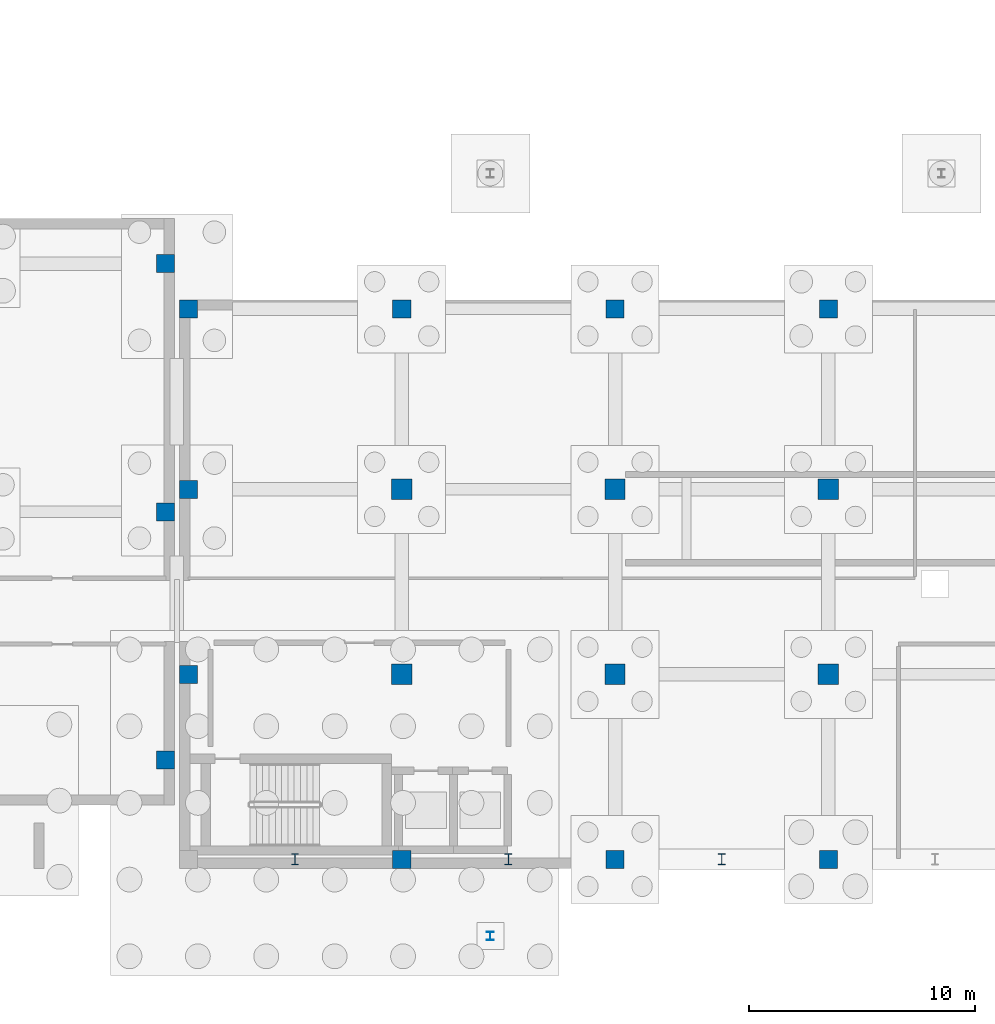
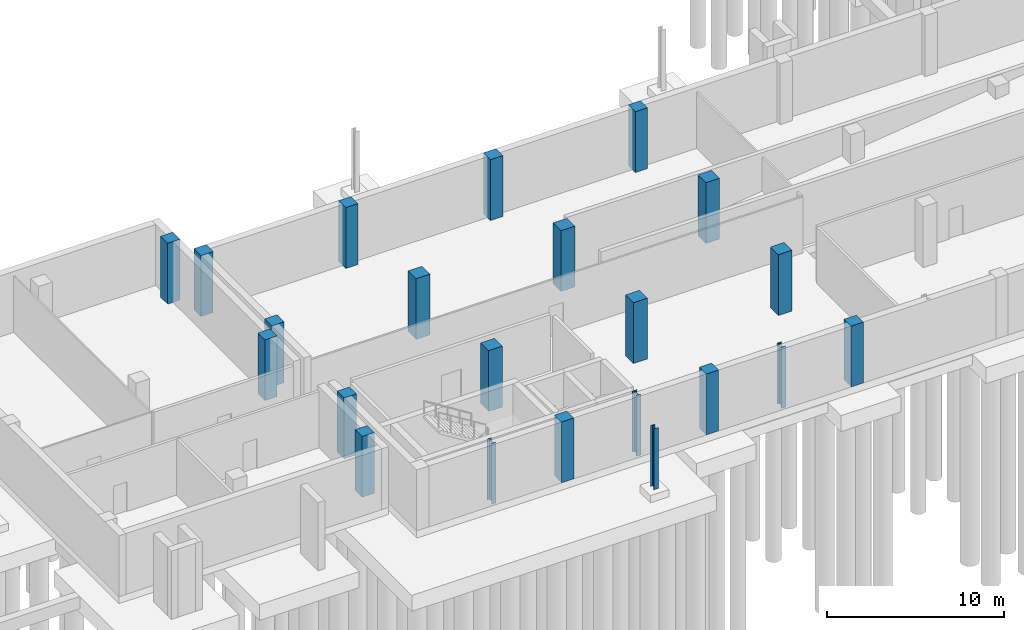
# One storey, part 8 of 31: 22 columns.
"""IFC4 building model written with IfcOpenShell, lengths in metres."""

import ifcopenshell
import ifcopenshell.guid

model = None  # the IFC model being written
_history = None  # IfcOwnerHistory: only IFC2X3 demands one
_inside = {}  # id of a spatial element -> (the spatial element, [elements in it])
_under = {}  # id of a project, library or spatial element -> (it, [spatial elements below it])
_declared = {}  # id of a project -> (the project, [libraries it declares])
_typed = {}  # id of a type object -> (the type object, [elements of that type])
_made_of = {}  # id of a material, layer set ... -> (it, [elements and type objects made of it])


def new_model(schema):
    """Start an empty IFC model of exactly this schema.

    Asked for "IFC4X3", IfcOpenShell would pick the latest addendum, in which some entities
    have other attributes; the version numbers below select the first issue.
    IFC2X3 requires an IfcOwnerHistory on every rooted entity: one is made here for all.
    """
    global model, _history
    if schema == "IFC4X3":
        model = ifcopenshell.file(schema_version=(4, 3, 0, 0))
    else:
        model = ifcopenshell.file(schema=schema)
    _inside.clear()
    _under.clear()
    _declared.clear()
    _typed.clear()
    _made_of.clear()
    _history = None
    if model.schema == "IFC2X3":
        org = make("IfcOrganization", Name="unknown")
        user = make(
            "IfcPersonAndOrganization",
            ThePerson=make("IfcPerson", FamilyName="unknown"),
            TheOrganization=org,
        )
        app = make(
            "IfcApplication",
            ApplicationDeveloper=org,
            Version="unknown",
            ApplicationFullName="unknown",
            ApplicationIdentifier="unknown",
        )
        _history = make(
            "IfcOwnerHistory",
            OwningUser=user,
            OwningApplication=app,
            ChangeAction="ADDED",
            CreationDate=0,
        )
    return model


def make(cls, **values):
    """One entity of the class cls with the attributes given. An attribute that is None is left unset."""
    return model.create_entity(
        cls, **{name: value for name, value in values.items() if value is not None}
    )


def rooted(cls, **values):
    """An entity with a GlobalId (a new one), such as an element, a storey or a relation."""
    return make(cls, GlobalId=ifcopenshell.guid.new(), OwnerHistory=_history, **values)


def si_unit(unit_type, name, prefix=None):
    """IfcSIUnit, for example si_unit("LENGTHUNIT", "METRE", prefix="MILLI")."""
    return make("IfcSIUnit", UnitType=unit_type, Prefix=prefix, Name=name)


def assignment(units):
    """IfcUnitAssignment: the units of a project."""
    return None if units is None else make("IfcUnitAssignment", Units=units)


def point(xyz):
    """IfcCartesianPoint."""
    return None if xyz is None else make("IfcCartesianPoint", Coordinates=xyz)


def direction(xyz):
    """IfcDirection."""
    return None if xyz is None else make("IfcDirection", DirectionRatios=xyz)


def frame(location, z_axis=None, x_axis=None):
    """IfcAxis2Placement3D, a coordinate frame: its origin and axes. An axis left out is left unset."""
    return make(
        "IfcAxis2Placement3D",
        Location=point(location),
        Axis=direction(z_axis),
        RefDirection=direction(x_axis),
    )


def frame_2d(location, x_axis=None):
    """IfcAxis2Placement2D, a coordinate frame in the plane: its origin and x axis."""
    return make(
        "IfcAxis2Placement2D", Location=point(location), RefDirection=direction(x_axis)
    )


def origin():
    """The frame at (0, 0, 0) with its axes left unset."""
    return frame((0.0, 0.0, 0.0))


def origin_2d():
    """The frame at (0, 0) in the plane with its x axis left unset."""
    return frame_2d((0.0, 0.0))


def place(relative_to, where):
    """IfcLocalPlacement: puts the frame where relative to a parent placement (None: the world)."""
    return make(
        "IfcLocalPlacement", PlacementRelTo=relative_to, RelativePlacement=where
    )


def context(
    kind, dimensions, precision=None, world=None, true_north=None, identifier=None
):
    """IfcGeometricRepresentationContext, for example the 3D "Model" context."""
    return make(
        "IfcGeometricRepresentationContext",
        ContextIdentifier=identifier,
        ContextType=kind,
        CoordinateSpaceDimension=dimensions,
        Precision=precision,
        WorldCoordinateSystem=world,
        TrueNorth=true_north,
    )


def subcontext(parent, identifier, kind, view, scale=None):
    """IfcGeometricRepresentationSubContext, for example "Body" below "Model"."""
    return make(
        "IfcGeometricRepresentationSubContext",
        ContextIdentifier=identifier,
        ContextType=kind,
        ParentContext=parent,
        TargetScale=scale,
        TargetView=view,
    )


def project(units=None, contexts=None):
    """IfcProject with its units and contexts."""
    return rooted(
        "IfcProject",
        Name="project",
        RepresentationContexts=contexts,
        UnitsInContext=assignment(units),
    )


def spatial(cls, under=None, at=None, **own):
    """A site, building, storey or space (cls), placed at a placement, below another one or the project."""
    s = rooted(cls, ObjectPlacement=at, **own)
    if under is not None:
        _under.setdefault(under.id(), (under, []))[1].append(s)
    return s


def profile(cls, at=None, kind="AREA", **sizes):
    """A parametric profile (cls). Its sizes go by their IFC names, for example OverallWidth=200.0."""
    return make(cls, ProfileType=kind, Position=at, **sizes)


def rectangle(**sizes):
    """IfcRectangleProfileDef."""
    return profile("IfcRectangleProfileDef", **sizes)


def i_section(**sizes):
    """IfcIShapeProfileDef."""
    return profile("IfcIShapeProfileDef", **sizes)


def extrude(swept, where, along, depth):
    """IfcExtrudedAreaSolid: the profile swept, set in the frame where, extruded along a direction by depth."""
    return make(
        "IfcExtrudedAreaSolid",
        SweptArea=swept,
        Position=where,
        ExtrudedDirection=direction(along),
        Depth=depth,
    )


def shape(context_of_items, identifier, shape_type, items):
    """IfcShapeRepresentation: the items that make up one representation, for example the "Body"."""
    return make(
        "IfcShapeRepresentation",
        ContextOfItems=context_of_items,
        RepresentationIdentifier=identifier,
        RepresentationType=shape_type,
        Items=items,
    )


def material(Name=None, Category=None):
    """IfcMaterial."""
    return make("IfcMaterial", Name=Name, Category=Category)


def material_profile(
    of_material, cross_section, Name=None, Category=None, Priority=None
):
    """IfcMaterialProfile: a cross section and its material."""
    return make(
        "IfcMaterialProfile",
        Name=Name,
        Material=of_material,
        Profile=cross_section,
        Priority=Priority,
        Category=Category,
    )


def profile_set(profiles, Name=None, composite=None):
    """IfcMaterialProfileSet."""
    return make(
        "IfcMaterialProfileSet",
        Name=Name,
        MaterialProfiles=profiles,
        CompositeProfile=composite,
    )


def made_of(thing, what):
    """Note that an element or type object is made of a material, layer set ...; save() writes the relation."""
    if what is not None:
        _made_of.setdefault(what.id(), (what, []))[1].append(thing)
    return thing


def type_object(cls, material=None, **own):
    """A type object (cls), such as IfcWallType, which elements share."""
    return made_of(rooted(cls, **own), material)


def element(
    cls,
    number,
    at=None,
    inside=None,
    cuts=None,
    type_object=None,
    material=None,
    context=None,
    identifier="Body",
    shape_type=None,
    held_by="IfcProductDefinitionShape",
    body=None,
    shapes=None,
    **own,
):
    """One element of the class cls, such as IfcWall. Its Tag is "e" and its number.

    at: its placement. inside: the storey or other place that contains it. cuts: it is an
    opening in that element (IfcRelVoidsElement). A single representation is given by context,
    identifier, shape_type and body (its items); several are given by shapes. held_by: the class
    of the entity that holds the representations. save() writes the other relations.
    """
    e = rooted(cls, Tag="e%d" % number, ObjectPlacement=at, **own)
    if body is not None:
        shapes = [shape(context, identifier, shape_type, body)]
    if shapes is not None:
        e.Representation = make(held_by, Representations=shapes)
    if inside is not None:
        _inside.setdefault(inside.id(), (inside, []))[1].append(e)
    if cuts is not None:
        rooted(
            "IfcRelVoidsElement", RelatingBuildingElement=cuts, RelatedOpeningElement=e
        )
    if type_object is not None:
        _typed.setdefault(type_object.id(), (type_object, []))[1].append(e)
    return made_of(e, material)


def aggregate(whole, parts):
    """IfcRelAggregates: a whole, such as a stair, and the parts it consists of."""
    return rooted("IfcRelAggregates", RelatingObject=whole, RelatedObjects=parts)


def save(model, path):
    """Write the relations noted so far, then the file.

    IfcRelAggregates (storeys below a building ...), IfcRelContainedInSpatialStructure (elements
    in a storey), IfcRelDefinesByType, IfcRelAssociatesMaterial and IfcRelDeclares: one each for
    every whole, place, type object, material and project.
    """
    for whole, parts in _under.values():
        aggregate(whole, parts)
    for where, things in _inside.values():
        rooted(
            "IfcRelContainedInSpatialStructure",
            RelatedElements=things,
            RelatingStructure=where,
        )
    for kind, things in _typed.values():
        rooted("IfcRelDefinesByType", RelatedObjects=things, RelatingType=kind)
    for what, things in _made_of.values():
        rooted("IfcRelAssociatesMaterial", RelatedObjects=things, RelatingMaterial=what)
    for by, libraries in _declared.values():
        rooted("IfcRelDeclares", RelatingContext=by, RelatedDefinitions=libraries)
    model.write(path)


model = new_model("IFC4")

# Units and contexts
model_context = context("Model", 3, precision=1e-05, world=origin(), true_north=direction((0.0, 1.0)))
body_context = subcontext(model_context, "Body", "Model", "MODEL_VIEW")
ifc_project = project(units=[si_unit("LENGTHUNIT", "METRE"), si_unit("AREAUNIT", "SQUARE_METRE"), si_unit("VOLUMEUNIT", "CUBIC_METRE"), si_unit("PLANEANGLEUNIT", "RADIAN"), si_unit("MASSUNIT", "GRAM", prefix="KILO")], contexts=[model_context])

# Site, building, storey
site_placement = place(None, origin())
site = spatial("IfcSite", under=ifc_project, at=site_placement, CompositionType="ELEMENT")
building_placement = place(site_placement, origin())
building = spatial("IfcBuilding", under=site, at=building_placement, Name="Qalavern Law Courts", CompositionType="ELEMENT")
storey_placement = place(building_placement, frame((0.0, 0.0, -8.39990234375)))
storey = spatial("IfcBuildingStorey", under=building, at=storey_placement, Name="B2", CompositionType="ELEMENT", Elevation=-8.39990234375)

# Columns
ifc_material_1 = material(Name="Steel S355", Category="steel")
ifc_material_profile_1 = material_profile(ifc_material_1, i_section(OverallWidth=0.300048828125, OverallDepth=0.389892578125, WebThickness=0.010986328125, FlangeThickness=0.01904296875, FilletRadius=0.027099609375, at=origin_2d()), Name="HEA 400")
ifc_profile_set_1 = profile_set([ifc_material_profile_1], Name="Steel S355")
column_type_1 = type_object("IfcColumnType", Name="STR-COL-HEA400", PredefinedType="COLUMN", material=ifc_profile_set_1)
column_placement = place(storey_placement, frame((48.0, 2.199951171875, 0.0), z_axis=(0.0, 0.0, 1.0), x_axis=(1.0, 0.0, 0.0)))
element("IfcColumn", 1, at=column_placement, inside=storey, type_object=column_type_1, Name="Plaza apron substructure column 04 B2", PredefinedType="COLUMN", context=body_context, shape_type="SweptSolid", body=[
    extrude(i_section(OverallWidth=0.300048828125, OverallDepth=0.389892578125, WebThickness=0.010986328125, FlangeThickness=0.01904296875, FilletRadius=0.027099609375, at=origin_2d()), origin(), (0.0, 0.0, 1.0), 4.199951171875),
])
ifc_material_profile_2 = material_profile(ifc_material_1, i_section(OverallWidth=0.300048828125, OverallDepth=0.5, WebThickness=0.014404296875, FlangeThickness=0.028076171875, FilletRadius=0.027099609375, at=origin_2d()), Name="HEB 500")
ifc_profile_set_2 = profile_set([ifc_material_profile_2], Name="Steel S355")
column_type_2 = type_object("IfcColumnType", Name="STR-COL-HEB500", PredefinedType="COLUMN", material=ifc_profile_set_2)
for number, where, z_axis, x_axis, name in (
    (2, (39.346923828125, 5.60009765625, 0.0), (0.0, 0.0, 1.0), (1.0, 0.0, 0.0), "Civic colonnade pilaster 01 B2"),
    (3, (48.801025390625, 5.60009765625, 0.0), (0.0, 0.0, 1.0), (1.0, 0.0, 0.0), "Civic colonnade pilaster 02 B2"),
    (4, (58.256103515625, 5.60009765625, 0.0), (0.0, 0.0, 1.0), (1.0, 0.0, 0.0), "Civic colonnade pilaster 03 B2"),
):
    element("IfcColumn", number, at=place(storey_placement, frame(where, z_axis=z_axis, x_axis=x_axis)), inside=storey, type_object=column_type_2, Name=name, PredefinedType="COLUMN", context=body_context, shape_type="SweptSolid", body=[
        extrude(i_section(OverallWidth=0.300048828125, OverallDepth=0.5, WebThickness=0.014404296875, FlangeThickness=0.028076171875, FilletRadius=0.027099609375, at=origin_2d()), origin(), (0.0, 0.0, 1.0), 4.199951171875),
    ])
ifc_material_2 = material(Name="Concrete C45/55", Category="concrete")
ifc_material_profile_3 = material_profile(ifc_material_2, rectangle(XDim=0.800048828125, YDim=0.800048828125, at=origin_2d()), Name="RC 800x800")
ifc_profile_set_3 = profile_set([ifc_material_profile_3], Name="Concrete C45/55")
column_type_3 = type_object("IfcColumnType", Name="STR-COL-RC800E", PredefinedType="COLUMN", material=ifc_profile_set_3)
for number, where, z_axis, x_axis, name in (
    (5, (33.60009765625, 10.0, 0.0), (0.0, 0.0, 1.0), (1.0, 0.0, 0.0), "V1 column 3-1 B2"),
    (6, (33.60009765625, 21.0, 0.0), (0.0, 0.0, 1.0), (1.0, 0.0, 0.0), "V1 column 3-2 B2"),
    (7, (33.60009765625, 32.0, 0.0), (0.0, 0.0, 1.0), (1.0, 0.0, 0.0), "V1 column 3-3 B2"),
    (8, (34.6201171875, 13.800048828125, 0.0), (0.0, 0.0, 1.0), (1.0, 0.0, 0.0), "V2 column 1-2 B2"),
    (9, (34.6201171875, 22.0, 0.0), (0.0, 0.0, 1.0), (1.0, 0.0, 0.0), "V2 column 1-3 B2"),
    (10, (34.6201171875, 30.0, 0.0), (0.0, 0.0, 1.0), (1.0, 0.0, 0.0), "V2 column 1-4 B2"),
    (11, (44.07421875, 5.60009765625, 0.0), (0.0, 0.0, 1.0), (1.0, 0.0, 0.0), "V2 column 2-1 B2"),
    (12, (44.07421875, 30.0, 0.0), (0.0, 0.0, 1.0), (1.0, 0.0, 0.0), "V2 column 2-4 B2"),
    (13, (53.528564453125, 5.60009765625, 0.0), (0.0, 0.0, 1.0), (1.0, 0.0, 0.0), "V2 column 3-1 B2"),
    (14, (53.528564453125, 30.0, 0.0), (0.0, 0.0, 1.0), (1.0, 0.0, 0.0), "V2 column 3-4 B2"),
    (15, (62.98291015625, 5.60009765625, 0.0), (0.0, 0.0, 1.0), (1.0, 0.0, 0.0), "V2 column 4-1 B2"),
    (16, (62.98291015625, 30.0, 0.0), (0.0, 0.0, 1.0), (1.0, 0.0, 0.0), "V2 column 4-4 B2"),
):
    element("IfcColumn", number, at=place(storey_placement, frame(where, z_axis=z_axis, x_axis=x_axis)), inside=storey, type_object=column_type_3, Name=name, PredefinedType="COLUMN", context=body_context, shape_type="SweptSolid", body=[
        extrude(rectangle(XDim=0.800048828125, YDim=0.800048828125, at=origin_2d()), origin(), (0.0, 0.0, 1.0), 4.199951171875),
    ])
ifc_material_profile_4 = material_profile(ifc_material_2, rectangle(XDim=0.89990234375, YDim=0.89990234375, at=origin_2d()), Name="RC 900x900")
ifc_profile_set_4 = profile_set([ifc_material_profile_4], Name="Concrete C45/55")
column_type_4 = type_object("IfcColumnType", Name="STR-COL-RC900", PredefinedType="COLUMN", material=ifc_profile_set_4)
for number, where, z_axis, x_axis, name in (
    (17, (44.07421875, 13.800048828125, 0.0), (0.0, 0.0, 1.0), (1.0, 0.0, 0.0), "V2 column 2-2 B2"),
    (18, (44.07421875, 22.0, 0.0), (0.0, 0.0, 1.0), (1.0, 0.0, 0.0), "V2 column 2-3 B2"),
    (19, (53.528564453125, 13.800048828125, 0.0), (0.0, 0.0, 1.0), (1.0, 0.0, 0.0), "V2 column 3-2 B2"),
    (20, (53.528564453125, 22.0, 0.0), (0.0, 0.0, 1.0), (1.0, 0.0, 0.0), "V2 column 3-3 B2"),
    (21, (62.98291015625, 13.800048828125, 0.0), (0.0, 0.0, 1.0), (1.0, 0.0, 0.0), "V2 column 4-2 B2"),
    (22, (62.98291015625, 22.0, 0.0), (0.0, 0.0, 1.0), (1.0, 0.0, 0.0), "V2 column 4-3 B2"),
):
    element("IfcColumn", number, at=place(storey_placement, frame(where, z_axis=z_axis, x_axis=x_axis)), inside=storey, type_object=column_type_4, Name=name, PredefinedType="COLUMN", context=body_context, shape_type="SweptSolid", body=[
        extrude(rectangle(XDim=0.89990234375, YDim=0.89990234375, at=origin_2d()), origin(), (0.0, 0.0, 1.0), 4.199951171875),
    ])

save(model, "model.ifc")
